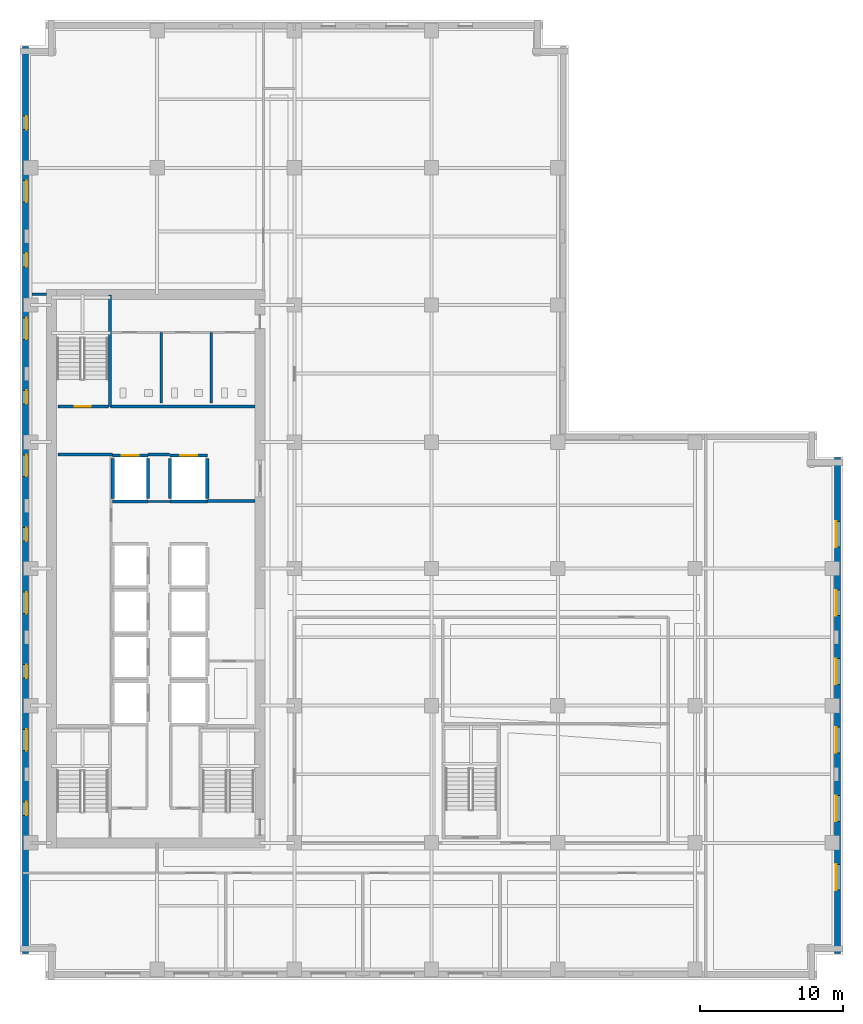
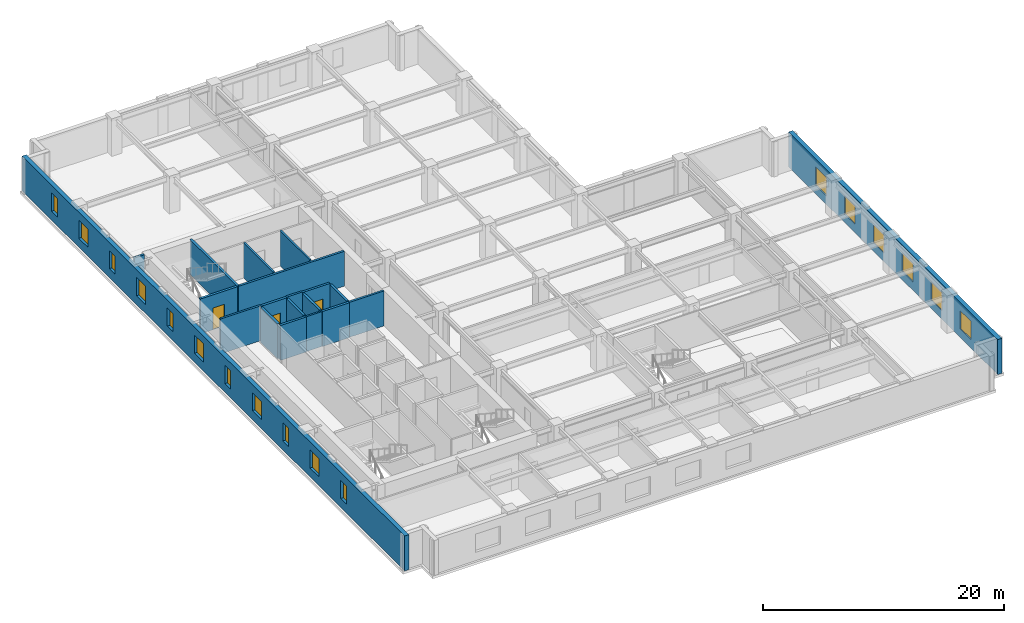
# One storey, part 5 of 11: 20 walls, 17 windows, 3 doors, 20 openings.
"""IFC4 building model written with IfcOpenShell, lengths in metres."""

from ifc_helpers import new_model, si_unit, direction, frame, frame_2d, origin, place, context, subcontext, project, spatial, rectangle, extrude, material, layer, layer_set, type_object, element, fill, save


model = new_model("IFC4")

# Units and contexts
model_context = context("Model", 3, precision=1e-05, world=origin(), true_north=direction((0.0, 1.0)))
body_context = subcontext(model_context, "Body", "Model", "MODEL_VIEW")
ifc_project = project(units=[si_unit("LENGTHUNIT", "METRE"), si_unit("AREAUNIT", "SQUARE_METRE"), si_unit("VOLUMEUNIT", "CUBIC_METRE"), si_unit("PLANEANGLEUNIT", "RADIAN"), si_unit("MASSUNIT", "GRAM", prefix="KILO")], contexts=[model_context])

# Site, building, storey
site_placement = place(None, origin())
site = spatial("IfcSite", under=ifc_project, at=site_placement, CompositionType="ELEMENT")
building_placement = place(site_placement, origin())
building = spatial("IfcBuilding", under=site, at=building_placement, Name="Norrvale University Quadrangle", CompositionType="ELEMENT")
storey_placement = place(building_placement, frame((0.0, 0.0, 120.39990234375)))
storey = spatial("IfcBuildingStorey", under=building, at=storey_placement, Name="L30", CompositionType="ELEMENT", Elevation=120.39990234375)

# Walls
ifc_material_1 = material(Name="Fire-Rated Gypsum Stud Partition")
ifc_layer_1 = layer(ifc_material_1, 0.14990234375, Name="Fire-Rated Gypsum Stud Partition")
ifc_layer_set_1 = layer_set([ifc_layer_1], Name="Fire-Rated Gypsum Stud Partition")
wall_type_1 = type_object("IfcWallType", Name="Wall Gypsum Corridor 150", PredefinedType="PARTITIONING", material=ifc_layer_set_1)
wall_1_placement = place(storey_placement, frame((8.965087890625, 33.489990234375, 0.0), z_axis=(0.0, 0.0, 1.0), x_axis=(1.0, 0.0, 0.0)))
element("IfcWall", 1, at=wall_1_placement, inside=storey, type_object=wall_type_1, Name="Interior Partition WL-L30-LL3", PredefinedType="PARTITIONING", context=body_context, shape_type="SweptSolid", body=[
    extrude(rectangle(XDim=1.52001953125, YDim=0.14990234375, at=frame_2d((0.760009765625, 0.0))), origin(), (0.0, 0.0, 1.0), 3.5400390625),
])
ifc_material_2 = material(Name="Sanitary Chase Gypsum Partition")
ifc_layer_2 = layer(ifc_material_2, 0.1650390625, Name="Sanitary Chase Gypsum Partition")
ifc_layer_set_2 = layer_set([ifc_layer_2], Name="Sanitary Chase Gypsum Partition")
wall_type_2 = type_object("IfcWallType", Name="Wall Gypsum Sanitary 165", PredefinedType="PLUMBINGWALL", material=ifc_layer_set_2)
for number, where, z_axis, x_axis, name in (
    (2, (9.89990234375, 40.39990234375, 0.0), (0.0, 0.0, 1.0), (0.0, 1.0, 0.0), "Interior Partition WL-L30-WCM1"),
    (3, (13.39990234375, 40.39990234375, 0.0), (0.0, 0.0, 1.0), (0.0, 1.0, 0.0), "Interior Partition WL-L30-WCM2"),
):
    element("IfcWall", number, at=place(storey_placement, frame(where, z_axis=z_axis, x_axis=x_axis)), inside=storey, type_object=wall_type_2, Name=name, PredefinedType="PLUMBINGWALL", context=body_context, shape_type="SweptSolid", body=[
        extrude(rectangle(XDim=4.920166015625, YDim=0.1650390625, at=frame_2d((2.4599609375, 0.0))), origin(), (0.0, 0.0, 1.0), 3.5400390625),
    ])
ifc_material_3 = material(Name="Concrete Blockwork 20 MPa Rated Wall", Category="masonry")
ifc_layer_3 = layer(ifc_material_3, 0.199951171875, Name="Concrete Blockwork 20 MPa Rated Wall")
ifc_layer_set_3 = layer_set([ifc_layer_3], Name="Concrete Blockwork 20 MPa Rated Wall")
wall_type_3 = type_object("IfcWallType", Name="Wall Lobby 200", PredefinedType="SOLIDWALL", material=ifc_layer_set_3)
wall_2_placement = place(storey_placement, frame((2.64990234375, 36.780029296875, 0.0), z_axis=(0.0, 0.0, 1.0), x_axis=(1.0, 0.0, 0.0)))
element("IfcWall", 4, at=wall_2_placement, inside=storey, type_object=wall_type_3, Name="Interior Partition WL-L30-FF1", PredefinedType="SOLIDWALL", context=body_context, shape_type="SweptSolid", body=[
    extrude(rectangle(XDim=3.830078125, YDim=0.199951171875, at=frame_2d((1.9150390625, 0.0))), origin(), (0.0, 0.0, 1.0), 3.5400390625),
])
wall_3_placement = place(storey_placement, frame((8.969970703125, 36.780029296875, 0.0), z_axis=(0.0, 0.0, 1.0), x_axis=(1.0, 0.0, 0.0)))
element("IfcWall", 5, at=wall_3_placement, inside=storey, type_object=wall_type_3, Name="Interior Partition WL-L30-FF2", PredefinedType="SOLIDWALL", context=body_context, shape_type="SweptSolid", body=[
    extrude(rectangle(XDim=1.510009765625, YDim=0.199951171875, at=frame_2d((0.7548828125, 0.0))), origin(), (0.0, 0.0, 1.0), 3.5400390625),
])
wall_4_placement = place(storey_placement, frame((13.1201171875, 33.52001953125, 0.0), z_axis=(0.0, 0.0, 1.0), x_axis=(1.0, 0.0, 0.0)))
element("IfcWall", 6, at=wall_4_placement, inside=storey, type_object=wall_type_3, Name="Interior Partition WL-L30-FF3", PredefinedType="SOLIDWALL", context=body_context, shape_type="SweptSolid", body=[
    extrude(rectangle(XDim=3.329833984375, YDim=0.199951171875, at=frame_2d((1.6650390625, 0.0))), origin(), (0.0, 0.0, 1.0), 3.5400390625),
])
wall_5_placement = place(storey_placement, frame((6.320068359375, 40.139892578125, 0.0), z_axis=(0.0, 0.0, 1.0), x_axis=(1.0, 0.0, 0.0)))
element("IfcWall", 7, at=wall_5_placement, inside=storey, type_object=wall_type_3, Name="Interior Partition WL-L30-FF4", PredefinedType="SOLIDWALL", context=body_context, shape_type="SweptSolid", body=[
    extrude(rectangle(XDim=10.1298828125, YDim=0.199951171875, at=frame_2d((5.06494140625, 0.0))), origin(), (0.0, 0.0, 1.0), 3.5400390625),
])
wall_6_placement = place(storey_placement, frame((0.85009765625, 48.0, 0.0), z_axis=(0.0, 0.0, 1.0), x_axis=(1.0, 0.0, 0.0)))
element("IfcWall", 8, at=wall_6_placement, inside=storey, type_object=wall_type_3, Name="Interior Partition WL-L30-CWRET-N", PredefinedType="SOLIDWALL", context=body_context, shape_type="SweptSolid", body=[
    extrude(rectangle(XDim=0.994873046875, YDim=0.199951171875, at=frame_2d((0.49755859375, 0.0))), origin(), (0.0, 0.0, 1.0), 3.5400390625),
])

# Wall, openings, windows
ifc_material_4 = material(Name="Red Manganese Brick Masonry", Category="masonry")
ifc_layer_4 = layer(ifc_material_4, 0.39990234375, Name="Red Manganese Brick Masonry")
ifc_layer_set_4 = layer_set([ifc_layer_4], Name="Red Manganese Brick Masonry")
wall_type_4 = type_object("IfcWallType", Name="Wall Red Brick 400", PredefinedType="SOLIDWALL", material=ifc_layer_set_4)
wall_7_placement = place(storey_placement, frame((57.219970703125, 1.840087890625, 0.0), z_axis=(0.0, 0.0, 1.0), x_axis=(0.0, 1.0, 0.0)))
wall_7 = element("IfcWall", 9, at=wall_7_placement, inside=storey, type_object=wall_type_4, Name="Exterior Brick Facade Wall L30-04.1", PredefinedType="SOLIDWALL", context=body_context, shape_type="SweptSolid", body=[
    extrude(rectangle(XDim=34.719970703125, YDim=0.39990234375, at=frame_2d((17.35986328125, 0.0))), origin(), (0.0, 0.0, 1.0), 3.5400390625),
])
opening_1_placement = place(wall_7_placement, frame((4.4599609375, 0.0, 0.85009765625)))
opening_1 = element("IfcOpeningElement", 10, at=opening_1_placement, cuts=wall_7, Name="Opening W01", PredefinedType="OPENING", context=body_context, shape_type="SweptSolid", body=[
    extrude(rectangle(XDim=1.800048828125, YDim=1.85009765625, at=frame_2d((0.89990234375, 0.925048828125))), frame((0.0, 0.2119140625, 0.0), z_axis=(0.0, -1.0, 0.0), x_axis=(1.0, 0.0, 0.0)), (0.0, 0.0, 1.0), 0.423828125),
])
opening_2_placement = place(wall_7_placement, frame((9.260009765625, 0.0, 0.85009765625)))
opening_2 = element("IfcOpeningElement", 11, at=opening_2_placement, cuts=wall_7, Name="Opening W01", PredefinedType="OPENING", context=body_context, shape_type="SweptSolid", body=[
    extrude(rectangle(XDim=1.800048828125, YDim=1.85009765625, at=frame_2d((0.89990234375, 0.925048828125))), frame((0.0, 0.2119140625, 0.0), z_axis=(0.0, -1.0, 0.0), x_axis=(1.0, 0.0, 0.0)), (0.0, 0.0, 1.0), 0.423828125),
])
opening_3_placement = place(wall_7_placement, frame((14.06005859375, 0.0, 0.85009765625)))
opening_3 = element("IfcOpeningElement", 12, at=opening_3_placement, cuts=wall_7, Name="Opening W01", PredefinedType="OPENING", context=body_context, shape_type="SweptSolid", body=[
    extrude(rectangle(XDim=1.800048828125, YDim=1.85009765625, at=frame_2d((0.89990234375, 0.925048828125))), frame((0.0, 0.2119140625, 0.0), z_axis=(0.0, -1.0, 0.0), x_axis=(1.0, 0.0, 0.0)), (0.0, 0.0, 1.0), 0.423828125),
])
opening_4_placement = place(wall_7_placement, frame((18.860107421875, 0.0, 0.85009765625)))
opening_4 = element("IfcOpeningElement", 13, at=opening_4_placement, cuts=wall_7, Name="Opening W01", PredefinedType="OPENING", context=body_context, shape_type="SweptSolid", body=[
    extrude(rectangle(XDim=1.800048828125, YDim=1.85009765625, at=frame_2d((0.89990234375, 0.925048828125))), frame((0.0, 0.2119140625, 0.0), z_axis=(0.0, -1.0, 0.0), x_axis=(1.0, 0.0, 0.0)), (0.0, 0.0, 1.0), 0.423828125),
])
opening_5_placement = place(wall_7_placement, frame((23.659912109375, 0.0, 0.85009765625)))
opening_5 = element("IfcOpeningElement", 14, at=opening_5_placement, cuts=wall_7, Name="Opening W01", PredefinedType="OPENING", context=body_context, shape_type="SweptSolid", body=[
    extrude(rectangle(XDim=1.800048828125, YDim=1.85009765625, at=frame_2d((0.89990234375, 0.925048828125))), frame((0.0, 0.2119140625, 0.0), z_axis=(0.0, -1.0, 0.0), x_axis=(1.0, 0.0, 0.0)), (0.0, 0.0, 1.0), 0.423828125),
])
opening_6_placement = place(wall_7_placement, frame((28.4599609375, 0.0, 0.85009765625)))
opening_6 = element("IfcOpeningElement", 15, at=opening_6_placement, cuts=wall_7, Name="Opening W01", PredefinedType="OPENING", context=body_context, shape_type="SweptSolid", body=[
    extrude(rectangle(XDim=1.800048828125, YDim=1.85009765625, at=frame_2d((0.89990234375, 0.925048828125))), frame((0.0, 0.2119140625, 0.0), z_axis=(0.0, -1.0, 0.0), x_axis=(1.0, 0.0, 0.0)), (0.0, 0.0, 1.0), 0.423828125),
])
ifc_material_5 = material(Name="Triple Low-E Argon Glazing", Category="glass")
window_type_1 = type_object("IfcWindowType", Name="Window Academic 1800x2300", PartitioningType="DOUBLE_PANEL_VERTICAL", PredefinedType="WINDOW", material=ifc_material_5)
window_1_placement = place(opening_1_placement, origin())
window_1 = element("IfcWindow", 16, at=window_1_placement, inside=storey, type_object=window_type_1, Name="Window Academic 1800x2300 WIN-L30-E04-1-01", OverallHeight=1.85009765625, OverallWidth=1.800048828125, PartitioningType="DOUBLE_PANEL_VERTICAL", PredefinedType="WINDOW", context=body_context, shape_type="SweptSolid", body=[
    extrude(rectangle(XDim=1.800048828125, YDim=1.85009765625, at=frame_2d((0.89990234375, 0.925048828125))), frame((0.0, 0.110107421875, 0.0), z_axis=(0.0, -1.0, 0.0), x_axis=(1.0, 0.0, 0.0)), (0.0, 0.0, 1.0), 0.06005859375),
])
fill(opening_1, window_1)
window_2_placement = place(opening_2_placement, origin())
window_2 = element("IfcWindow", 17, at=window_2_placement, inside=storey, type_object=window_type_1, Name="Window Academic 1800x2300 WIN-L30-E04-1-02", OverallHeight=1.85009765625, OverallWidth=1.800048828125, PartitioningType="DOUBLE_PANEL_VERTICAL", PredefinedType="WINDOW", context=body_context, shape_type="SweptSolid", body=[
    extrude(rectangle(XDim=1.800048828125, YDim=1.85009765625, at=frame_2d((0.89990234375, 0.925048828125))), frame((0.0, 0.110107421875, 0.0), z_axis=(0.0, -1.0, 0.0), x_axis=(1.0, 0.0, 0.0)), (0.0, 0.0, 1.0), 0.06005859375),
])
fill(opening_2, window_2)
window_3_placement = place(opening_3_placement, origin())
window_3 = element("IfcWindow", 18, at=window_3_placement, inside=storey, type_object=window_type_1, Name="Window Academic 1800x2300 WIN-L30-E04-1-03", OverallHeight=1.85009765625, OverallWidth=1.800048828125, PartitioningType="DOUBLE_PANEL_VERTICAL", PredefinedType="WINDOW", context=body_context, shape_type="SweptSolid", body=[
    extrude(rectangle(XDim=1.800048828125, YDim=1.85009765625, at=frame_2d((0.89990234375, 0.925048828125))), frame((0.0, 0.110107421875, 0.0), z_axis=(0.0, -1.0, 0.0), x_axis=(1.0, 0.0, 0.0)), (0.0, 0.0, 1.0), 0.06005859375),
])
fill(opening_3, window_3)
window_4_placement = place(opening_4_placement, origin())
window_4 = element("IfcWindow", 19, at=window_4_placement, inside=storey, type_object=window_type_1, Name="Window Academic 1800x2300 WIN-L30-E04-1-04", OverallHeight=1.85009765625, OverallWidth=1.800048828125, PartitioningType="DOUBLE_PANEL_VERTICAL", PredefinedType="WINDOW", context=body_context, shape_type="SweptSolid", body=[
    extrude(rectangle(XDim=1.800048828125, YDim=1.85009765625, at=frame_2d((0.89990234375, 0.925048828125))), frame((0.0, 0.110107421875, 0.0), z_axis=(0.0, -1.0, 0.0), x_axis=(1.0, 0.0, 0.0)), (0.0, 0.0, 1.0), 0.06005859375),
])
fill(opening_4, window_4)
window_5_placement = place(opening_5_placement, origin())
window_5 = element("IfcWindow", 20, at=window_5_placement, inside=storey, type_object=window_type_1, Name="Window Academic 1800x2300 WIN-L30-E04-1-05", OverallHeight=1.85009765625, OverallWidth=1.800048828125, PartitioningType="DOUBLE_PANEL_VERTICAL", PredefinedType="WINDOW", context=body_context, shape_type="SweptSolid", body=[
    extrude(rectangle(XDim=1.800048828125, YDim=1.85009765625, at=frame_2d((0.89990234375, 0.925048828125))), frame((0.0, 0.110107421875, 0.0), z_axis=(0.0, -1.0, 0.0), x_axis=(1.0, 0.0, 0.0)), (0.0, 0.0, 1.0), 0.06005859375),
])
fill(opening_5, window_5)
window_6_placement = place(opening_6_placement, origin())
window_6 = element("IfcWindow", 21, at=window_6_placement, inside=storey, type_object=window_type_1, Name="Window Academic 1800x2300 WIN-L30-E04-1-06", OverallHeight=1.85009765625, OverallWidth=1.800048828125, PartitioningType="DOUBLE_PANEL_VERTICAL", PredefinedType="WINDOW", context=body_context, shape_type="SweptSolid", body=[
    extrude(rectangle(XDim=1.800048828125, YDim=1.85009765625, at=frame_2d((0.89990234375, 0.925048828125))), frame((0.0, 0.110107421875, 0.0), z_axis=(0.0, -1.0, 0.0), x_axis=(1.0, 0.0, 0.0)), (0.0, 0.0, 1.0), 0.06005859375),
])
fill(opening_6, window_6)

wall_8_placement = place(storey_placement, frame((0.3798828125, 65.360107421875, 0.0), z_axis=(0.0, 0.0, 1.0), x_axis=(0.0, -1.0, 0.0)))
wall_8 = element("IfcWall", 22, at=wall_8_placement, inside=storey, type_object=wall_type_4, Name="Exterior Brick Facade Wall L30-14.1", PredefinedType="SOLIDWALL", context=body_context, shape_type="SweptSolid", body=[
    extrude(rectangle(XDim=63.52001953125, YDim=0.39990234375, at=frame_2d((31.760009765625, 0.0))), origin(), (0.0, 0.0, 1.0), 3.5400390625),
])
opening_7_placement = place(wall_8_placement, frame((4.885009765625, 0.0, 0.89990234375)))
opening_7 = element("IfcOpeningElement", 23, at=opening_7_placement, cuts=wall_8, Name="Opening W04", PredefinedType="OPENING", context=body_context, shape_type="SweptSolid", body=[
    extrude(rectangle(XDim=0.949951171875, YDim=1.85009765625, at=frame_2d((0.47509765625, 0.925048828125))), frame((0.0, 0.2119140625, 0.0), z_axis=(0.0, -1.0, 0.0), x_axis=(1.0, 0.0, 0.0)), (0.0, 0.0, 1.0), 0.423828125),
])
opening_8_placement = place(wall_8_placement, frame((9.409912109375, 0.0, 0.89990234375)))
opening_8 = element("IfcOpeningElement", 24, at=opening_8_placement, cuts=wall_8, Name="Opening W03", PredefinedType="OPENING", context=body_context, shape_type="SweptSolid", body=[
    extrude(rectangle(XDim=1.5, YDim=1.85009765625, at=frame_2d((0.75, 0.925048828125))), frame((0.0, 0.2119140625, 0.0), z_axis=(0.0, -1.0, 0.0), x_axis=(1.0, 0.0, 0.0)), (0.0, 0.0, 1.0), 0.423828125),
])
opening_9_placement = place(wall_8_placement, frame((14.485107421875, 0.0, 0.89990234375)))
opening_9 = element("IfcOpeningElement", 25, at=opening_9_placement, cuts=wall_8, Name="Opening W04", PredefinedType="OPENING", context=body_context, shape_type="SweptSolid", body=[
    extrude(rectangle(XDim=0.949951171875, YDim=1.85009765625, at=frame_2d((0.47509765625, 0.925048828125))), frame((0.0, 0.2119140625, 0.0), z_axis=(0.0, -1.0, 0.0), x_axis=(1.0, 0.0, 0.0)), (0.0, 0.0, 1.0), 0.423828125),
])
opening_10_placement = place(wall_8_placement, frame((19.010009765625, 0.0, 0.89990234375)))
opening_10 = element("IfcOpeningElement", 26, at=opening_10_placement, cuts=wall_8, Name="Opening W03", PredefinedType="OPENING", context=body_context, shape_type="SweptSolid", body=[
    extrude(rectangle(XDim=1.5, YDim=1.85009765625, at=frame_2d((0.75, 0.925048828125))), frame((0.0, 0.2119140625, 0.0), z_axis=(0.0, -1.0, 0.0), x_axis=(1.0, 0.0, 0.0)), (0.0, 0.0, 1.0), 0.423828125),
])
opening_11_placement = place(wall_8_placement, frame((24.0849609375, 0.0, 0.89990234375)))
opening_11 = element("IfcOpeningElement", 27, at=opening_11_placement, cuts=wall_8, Name="Opening W04", PredefinedType="OPENING", context=body_context, shape_type="SweptSolid", body=[
    extrude(rectangle(XDim=0.949951171875, YDim=1.85009765625, at=frame_2d((0.47509765625, 0.925048828125))), frame((0.0, 0.2119140625, 0.0), z_axis=(0.0, -1.0, 0.0), x_axis=(1.0, 0.0, 0.0)), (0.0, 0.0, 1.0), 0.423828125),
])
opening_12_placement = place(wall_8_placement, frame((28.610107421875, 0.0, 0.89990234375)))
opening_12 = element("IfcOpeningElement", 28, at=opening_12_placement, cuts=wall_8, Name="Opening W03", PredefinedType="OPENING", context=body_context, shape_type="SweptSolid", body=[
    extrude(rectangle(XDim=1.5, YDim=1.85009765625, at=frame_2d((0.75, 0.925048828125))), frame((0.0, 0.2119140625, 0.0), z_axis=(0.0, -1.0, 0.0), x_axis=(1.0, 0.0, 0.0)), (0.0, 0.0, 1.0), 0.423828125),
])
opening_13_placement = place(wall_8_placement, frame((33.68505859375, 0.0, 0.89990234375)))
opening_13 = element("IfcOpeningElement", 29, at=opening_13_placement, cuts=wall_8, Name="Opening W04", PredefinedType="OPENING", context=body_context, shape_type="SweptSolid", body=[
    extrude(rectangle(XDim=0.949951171875, YDim=1.85009765625, at=frame_2d((0.47509765625, 0.925048828125))), frame((0.0, 0.2119140625, 0.0), z_axis=(0.0, -1.0, 0.0), x_axis=(1.0, 0.0, 0.0)), (0.0, 0.0, 1.0), 0.423828125),
])
opening_14_placement = place(wall_8_placement, frame((38.2099609375, 0.0, 0.89990234375)))
opening_14 = element("IfcOpeningElement", 30, at=opening_14_placement, cuts=wall_8, Name="Opening W03", PredefinedType="OPENING", context=body_context, shape_type="SweptSolid", body=[
    extrude(rectangle(XDim=1.5, YDim=1.85009765625, at=frame_2d((0.75, 0.925048828125))), frame((0.0, 0.2119140625, 0.0), z_axis=(0.0, -1.0, 0.0), x_axis=(1.0, 0.0, 0.0)), (0.0, 0.0, 1.0), 0.423828125),
])
opening_15_placement = place(wall_8_placement, frame((43.284912109375, 0.0, 0.89990234375)))
opening_15 = element("IfcOpeningElement", 31, at=opening_15_placement, cuts=wall_8, Name="Opening W04", PredefinedType="OPENING", context=body_context, shape_type="SweptSolid", body=[
    extrude(rectangle(XDim=0.949951171875, YDim=1.85009765625, at=frame_2d((0.47509765625, 0.925048828125))), frame((0.0, 0.2119140625, 0.0), z_axis=(0.0, -1.0, 0.0), x_axis=(1.0, 0.0, 0.0)), (0.0, 0.0, 1.0), 0.423828125),
])
opening_16_placement = place(wall_8_placement, frame((47.81005859375, 0.0, 0.89990234375)))
opening_16 = element("IfcOpeningElement", 32, at=opening_16_placement, cuts=wall_8, Name="Opening W03", PredefinedType="OPENING", context=body_context, shape_type="SweptSolid", body=[
    extrude(rectangle(XDim=1.5, YDim=1.85009765625, at=frame_2d((0.75, 0.925048828125))), frame((0.0, 0.2119140625, 0.0), z_axis=(0.0, -1.0, 0.0), x_axis=(1.0, 0.0, 0.0)), (0.0, 0.0, 1.0), 0.423828125),
])
opening_17_placement = place(wall_8_placement, frame((52.885009765625, 0.0, 0.89990234375)))
opening_17 = element("IfcOpeningElement", 33, at=opening_17_placement, cuts=wall_8, Name="Opening W04", PredefinedType="OPENING", context=body_context, shape_type="SweptSolid", body=[
    extrude(rectangle(XDim=0.949951171875, YDim=1.85009765625, at=frame_2d((0.47509765625, 0.925048828125))), frame((0.0, 0.2119140625, 0.0), z_axis=(0.0, -1.0, 0.0), x_axis=(1.0, 0.0, 0.0)), (0.0, 0.0, 1.0), 0.423828125),
])
window_type_2 = type_object("IfcWindowType", Name="Window Narrow Pier 950x2300", PartitioningType="SINGLE_PANEL", PredefinedType="WINDOW", material=ifc_material_5)
window_7_placement = place(opening_7_placement, origin())
window_7 = element("IfcWindow", 34, at=window_7_placement, inside=storey, type_object=window_type_2, Name="Window Narrow Pier 950x2300 WIN-L30-E14-1-01", OverallHeight=1.85009765625, OverallWidth=0.949951171875, PartitioningType="SINGLE_PANEL", PredefinedType="WINDOW", context=body_context, shape_type="SweptSolid", body=[
    extrude(rectangle(XDim=0.949951171875, YDim=1.85009765625, at=frame_2d((0.47509765625, 0.925048828125))), frame((0.0, 0.110107421875, 0.0), z_axis=(0.0, -1.0, 0.0), x_axis=(1.0, 0.0, 0.0)), (0.0, 0.0, 1.0), 0.06005859375),
])
fill(opening_7, window_7)
window_8_placement = place(opening_9_placement, origin())
window_8 = element("IfcWindow", 35, at=window_8_placement, inside=storey, type_object=window_type_2, Name="Window Narrow Pier 950x2300 WIN-L30-E14-1-03", OverallHeight=1.85009765625, OverallWidth=0.949951171875, PartitioningType="SINGLE_PANEL", PredefinedType="WINDOW", context=body_context, shape_type="SweptSolid", body=[
    extrude(rectangle(XDim=0.949951171875, YDim=1.85009765625, at=frame_2d((0.47509765625, 0.925048828125))), frame((0.0, 0.110107421875, 0.0), z_axis=(0.0, -1.0, 0.0), x_axis=(1.0, 0.0, 0.0)), (0.0, 0.0, 1.0), 0.06005859375),
])
fill(opening_9, window_8)
window_9_placement = place(opening_11_placement, origin())
window_9 = element("IfcWindow", 36, at=window_9_placement, inside=storey, type_object=window_type_2, Name="Window Narrow Pier 950x2300 WIN-L30-E14-1-05", OverallHeight=1.85009765625, OverallWidth=0.949951171875, PartitioningType="SINGLE_PANEL", PredefinedType="WINDOW", context=body_context, shape_type="SweptSolid", body=[
    extrude(rectangle(XDim=0.949951171875, YDim=1.85009765625, at=frame_2d((0.47509765625, 0.925048828125))), frame((0.0, 0.110107421875, 0.0), z_axis=(0.0, -1.0, 0.0), x_axis=(1.0, 0.0, 0.0)), (0.0, 0.0, 1.0), 0.06005859375),
])
fill(opening_11, window_9)
window_10_placement = place(opening_13_placement, origin())
window_10 = element("IfcWindow", 37, at=window_10_placement, inside=storey, type_object=window_type_2, Name="Window Narrow Pier 950x2300 WIN-L30-E14-1-07", OverallHeight=1.85009765625, OverallWidth=0.949951171875, PartitioningType="SINGLE_PANEL", PredefinedType="WINDOW", context=body_context, shape_type="SweptSolid", body=[
    extrude(rectangle(XDim=0.949951171875, YDim=1.85009765625, at=frame_2d((0.47509765625, 0.925048828125))), frame((0.0, 0.110107421875, 0.0), z_axis=(0.0, -1.0, 0.0), x_axis=(1.0, 0.0, 0.0)), (0.0, 0.0, 1.0), 0.06005859375),
])
fill(opening_13, window_10)
window_11_placement = place(opening_15_placement, origin())
window_11 = element("IfcWindow", 38, at=window_11_placement, inside=storey, type_object=window_type_2, Name="Window Narrow Pier 950x2300 WIN-L30-E14-1-09", OverallHeight=1.85009765625, OverallWidth=0.949951171875, PartitioningType="SINGLE_PANEL", PredefinedType="WINDOW", context=body_context, shape_type="SweptSolid", body=[
    extrude(rectangle(XDim=0.949951171875, YDim=1.85009765625, at=frame_2d((0.47509765625, 0.925048828125))), frame((0.0, 0.110107421875, 0.0), z_axis=(0.0, -1.0, 0.0), x_axis=(1.0, 0.0, 0.0)), (0.0, 0.0, 1.0), 0.06005859375),
])
fill(opening_15, window_11)
window_12_placement = place(opening_17_placement, origin())
window_12 = element("IfcWindow", 39, at=window_12_placement, inside=storey, type_object=window_type_2, Name="Window Narrow Pier 950x2300 WIN-L30-E14-1-11", OverallHeight=1.85009765625, OverallWidth=0.949951171875, PartitioningType="SINGLE_PANEL", PredefinedType="WINDOW", context=body_context, shape_type="SweptSolid", body=[
    extrude(rectangle(XDim=0.949951171875, YDim=1.85009765625, at=frame_2d((0.47509765625, 0.925048828125))), frame((0.0, 0.110107421875, 0.0), z_axis=(0.0, -1.0, 0.0), x_axis=(1.0, 0.0, 0.0)), (0.0, 0.0, 1.0), 0.06005859375),
])
fill(opening_17, window_12)
window_type_3 = type_object("IfcWindowType", Name="Window Studio 1500x2300", PartitioningType="DOUBLE_PANEL_VERTICAL", PredefinedType="WINDOW", material=ifc_material_5)
window_13_placement = place(opening_8_placement, origin())
window_13 = element("IfcWindow", 40, at=window_13_placement, inside=storey, type_object=window_type_3, Name="Window Studio 1500x2300 WIN-L30-E14-1-02", OverallHeight=1.85009765625, OverallWidth=1.5, PartitioningType="DOUBLE_PANEL_VERTICAL", PredefinedType="WINDOW", context=body_context, shape_type="SweptSolid", body=[
    extrude(rectangle(XDim=1.5, YDim=1.85009765625, at=frame_2d((0.75, 0.925048828125))), frame((0.0, 0.110107421875, 0.0), z_axis=(0.0, -1.0, 0.0), x_axis=(1.0, 0.0, 0.0)), (0.0, 0.0, 1.0), 0.06005859375),
])
fill(opening_8, window_13)
window_14_placement = place(opening_10_placement, origin())
window_14 = element("IfcWindow", 41, at=window_14_placement, inside=storey, type_object=window_type_3, Name="Window Studio 1500x2300 WIN-L30-E14-1-04", OverallHeight=1.85009765625, OverallWidth=1.5, PartitioningType="DOUBLE_PANEL_VERTICAL", PredefinedType="WINDOW", context=body_context, shape_type="SweptSolid", body=[
    extrude(rectangle(XDim=1.5, YDim=1.85009765625, at=frame_2d((0.75, 0.925048828125))), frame((0.0, 0.110107421875, 0.0), z_axis=(0.0, -1.0, 0.0), x_axis=(1.0, 0.0, 0.0)), (0.0, 0.0, 1.0), 0.06005859375),
])
fill(opening_10, window_14)
window_15_placement = place(opening_12_placement, origin())
window_15 = element("IfcWindow", 42, at=window_15_placement, inside=storey, type_object=window_type_3, Name="Window Studio 1500x2300 WIN-L30-E14-1-06", OverallHeight=1.85009765625, OverallWidth=1.5, PartitioningType="DOUBLE_PANEL_VERTICAL", PredefinedType="WINDOW", context=body_context, shape_type="SweptSolid", body=[
    extrude(rectangle(XDim=1.5, YDim=1.85009765625, at=frame_2d((0.75, 0.925048828125))), frame((0.0, 0.110107421875, 0.0), z_axis=(0.0, -1.0, 0.0), x_axis=(1.0, 0.0, 0.0)), (0.0, 0.0, 1.0), 0.06005859375),
])
fill(opening_12, window_15)
window_16_placement = place(opening_14_placement, origin())
window_16 = element("IfcWindow", 43, at=window_16_placement, inside=storey, type_object=window_type_3, Name="Window Studio 1500x2300 WIN-L30-E14-1-08", OverallHeight=1.85009765625, OverallWidth=1.5, PartitioningType="DOUBLE_PANEL_VERTICAL", PredefinedType="WINDOW", context=body_context, shape_type="SweptSolid", body=[
    extrude(rectangle(XDim=1.5, YDim=1.85009765625, at=frame_2d((0.75, 0.925048828125))), frame((0.0, 0.110107421875, 0.0), z_axis=(0.0, -1.0, 0.0), x_axis=(1.0, 0.0, 0.0)), (0.0, 0.0, 1.0), 0.06005859375),
])
fill(opening_14, window_16)
window_17_placement = place(opening_16_placement, origin())
window_17 = element("IfcWindow", 44, at=window_17_placement, inside=storey, type_object=window_type_3, Name="Window Studio 1500x2300 WIN-L30-E14-1-10", OverallHeight=1.85009765625, OverallWidth=1.5, PartitioningType="DOUBLE_PANEL_VERTICAL", PredefinedType="WINDOW", context=body_context, shape_type="SweptSolid", body=[
    extrude(rectangle(XDim=1.5, YDim=1.85009765625, at=frame_2d((0.75, 0.925048828125))), frame((0.0, 0.110107421875, 0.0), z_axis=(0.0, -1.0, 0.0), x_axis=(1.0, 0.0, 0.0)), (0.0, 0.0, 1.0), 0.06005859375),
])
fill(opening_16, window_17)

# Wall, opening, door
ifc_material_6 = material(Name="Concrete Blockwork 20 MPa Fire Shaft", Category="masonry")
ifc_layer_5 = layer(ifc_material_6, 0.219970703125, Name="Concrete Blockwork 20 MPa Fire Shaft")
ifc_layer_set_5 = layer_set([ifc_layer_5], Name="Concrete Blockwork 20 MPa Fire Shaft")
wall_type_5 = type_object("IfcWallType", Name="Wall Shaft 220", PredefinedType="SOLIDWALL", material=ifc_layer_set_5)
wall_9_placement = place(storey_placement, frame((2.64990234375, 40.139892578125, 0.0), z_axis=(0.0, 0.0, 1.0), x_axis=(1.0, 0.0, 0.0)))
wall_9 = element("IfcWall", 45, at=wall_9_placement, inside=storey, type_object=wall_type_5, Name="Stair ST-02 South Shaft Wall L30", PredefinedType="SOLIDWALL", context=body_context, shape_type="SweptSolid", body=[
    extrude(rectangle(XDim=3.550048828125, YDim=0.219970703125, at=frame_2d((1.77490234375, 0.0))), origin(), (0.0, 0.0, 1.0), 3.5400390625),
])
opening_18_placement = place(wall_9_placement, frame((1.199951171875, 0.0, 0.0)))
opening_18 = element("IfcOpeningElement", 46, at=opening_18_placement, cuts=wall_9, Name="Opening D02", PredefinedType="OPENING", context=body_context, shape_type="SweptSolid", body=[
    extrude(rectangle(XDim=1.10009765625, YDim=2.199951171875, at=frame_2d((0.550048828125, 1.10009765625))), frame((0.0, 0.1220703125, 0.0), z_axis=(0.0, -1.0, 0.0), x_axis=(1.0, 0.0, 0.0)), (0.0, 0.0, 1.0), 0.243896484375),
])
ifc_material_7 = material(Name="Hollow Steel 350W Fire Door", Category="steel")
door_type_1 = type_object("IfcDoorType", Name="Door Stair Exit 1100x2200", OperationType="NOTDEFINED", PredefinedType="DOOR", material=ifc_material_7)
door_1_placement = place(opening_18_placement, origin())
door_1 = element("IfcDoor", 47, at=door_1_placement, inside=storey, type_object=door_type_1, Name="Door Stair Exit 1100x2200 DR-L30-ST02", OperationType="SINGLE_SWING_LEFT", OverallHeight=2.199951171875, OverallWidth=1.10009765625, PredefinedType="DOOR", context=body_context, shape_type="SweptSolid", body=[
    extrude(rectangle(XDim=1.10009765625, YDim=2.199951171875, at=frame_2d((0.550048828125, 1.10009765625))), frame((0.0, 0.02490234375, 0.0), z_axis=(0.0, -1.0, 0.0), x_axis=(1.0, 0.0, 0.0)), (0.0, 0.0, 1.0), 0.050048828125),
])
fill(opening_18, door_1)

# Walls
wall_10_placement = place(storey_placement, frame((6.31005859375, 40.139892578125, 0.0), z_axis=(0.0, 0.0, 1.0), x_axis=(0.0, 1.0, 0.0)))
element("IfcWall", 48, at=wall_10_placement, inside=storey, type_object=wall_type_5, Name="Stair ST-02 East Shaft Wall L30", PredefinedType="SOLIDWALL", context=body_context, shape_type="SweptSolid", body=[
    extrude(rectangle(XDim=7.81005859375, YDim=0.219970703125, at=frame_2d((3.905029296875, 0.0))), origin(), (0.0, 0.0, 1.0), 3.5400390625),
])
for number, where, z_axis, x_axis, name in (
    (49, (6.489990234375, 33.7099609375, 0.0), (0.0, 0.0, 1.0), (0.0, 1.0, 0.0), "Hoistway FFL-01 West Wall L30"),
    (50, (8.9599609375, 33.7099609375, 0.0), (0.0, 0.0, 1.0), (0.0, 1.0, 0.0), "Hoistway FFL-01 East Wall L30"),
):
    element("IfcWall", number, at=place(storey_placement, frame(where, z_axis=z_axis, x_axis=x_axis)), inside=storey, type_object=wall_type_5, Name=name, PredefinedType="SOLIDWALL", context=body_context, shape_type="SweptSolid", body=[
        extrude(rectangle(XDim=2.780029296875, YDim=0.219970703125, at=frame_2d((1.39013671875, 0.0))), origin(), (0.0, 0.0, 1.0), 3.5400390625),
    ])
wall_11_placement = place(storey_placement, frame((6.489990234375, 33.489990234375, 0.0), z_axis=(0.0, 0.0, 1.0), x_axis=(1.0, 0.0, 0.0)))
element("IfcWall", 51, at=wall_11_placement, inside=storey, type_object=wall_type_5, Name="Hoistway FFL-01 South Wall L30", PredefinedType="SOLIDWALL", context=body_context, shape_type="SweptSolid", body=[
    extrude(rectangle(XDim=2.469970703125, YDim=0.219970703125, at=frame_2d((1.23486328125, 0.0))), origin(), (0.0, 0.0, 1.0), 3.5400390625),
])

# Wall, opening, door
wall_12_placement = place(storey_placement, frame((6.489990234375, 36.7099609375, 0.0), z_axis=(0.0, 0.0, 1.0), x_axis=(1.0, 0.0, 0.0)))
wall_12 = element("IfcWall", 52, at=wall_12_placement, inside=storey, type_object=wall_type_5, Name="Hoistway FFL-01 North Wall L30", PredefinedType="SOLIDWALL", context=body_context, shape_type="SweptSolid", body=[
    extrude(rectangle(XDim=2.469970703125, YDim=0.219970703125, at=frame_2d((1.23486328125, 0.0))), origin(), (0.0, 0.0, 1.0), 3.5400390625),
])
opening_19_placement = place(wall_12_placement, frame((0.635009765625, 0.0, 0.0)))
opening_19 = element("IfcOpeningElement", 53, at=opening_19_placement, cuts=wall_12, Name="Opening LD2", PredefinedType="OPENING", context=body_context, shape_type="SweptSolid", body=[
    extrude(rectangle(XDim=1.199951171875, YDim=2.199951171875, at=frame_2d((0.60009765625, 1.10009765625))), frame((0.0, 0.1220703125, 0.0), z_axis=(0.0, -1.0, 0.0), x_axis=(1.0, 0.0, 0.0)), (0.0, 0.0, 1.0), 0.243896484375),
])
ifc_material_8 = material(Name="Stainless Steel 316L Firefighter Lift Door", Category="steel")
door_type_2 = type_object("IfcDoorType", Name="Door Fire Lift 1200x2200", OperationType="DOUBLE_DOOR_SLIDING", PredefinedType="DOOR", material=ifc_material_8)
door_2_placement = place(opening_19_placement, origin())
door_2 = element("IfcDoor", 54, at=door_2_placement, inside=storey, type_object=door_type_2, Name="Elevator Landing Door DR-L30-FFL-01", OperationType="DOUBLE_DOOR_SLIDING", OverallHeight=2.199951171875, OverallWidth=1.199951171875, PredefinedType="DOOR", context=body_context, shape_type="SweptSolid", body=[
    extrude(rectangle(XDim=1.199951171875, YDim=2.199951171875, at=frame_2d((0.60009765625, 1.10009765625))), frame((0.0, 0.02490234375, 0.0), z_axis=(0.0, -1.0, 0.0), x_axis=(1.0, 0.0, 0.0)), (0.0, 0.0, 1.0), 0.050048828125),
])
fill(opening_19, door_2)

# Walls
for number, where, z_axis, x_axis, name in (
    (55, (10.489990234375, 33.7099609375, 0.0), (0.0, 0.0, 1.0), (0.0, 1.0, 0.0), "Hoistway FFL-02 West Wall L30"),
    (56, (13.110107421875, 33.7099609375, 0.0), (0.0, 0.0, 1.0), (0.0, 1.0, 0.0), "Hoistway FFL-02 East Wall L30"),
):
    element("IfcWall", number, at=place(storey_placement, frame(where, z_axis=z_axis, x_axis=x_axis)), inside=storey, type_object=wall_type_5, Name=name, PredefinedType="SOLIDWALL", context=body_context, shape_type="SweptSolid", body=[
        extrude(rectangle(XDim=2.780029296875, YDim=0.219970703125, at=frame_2d((1.39013671875, 0.0))), origin(), (0.0, 0.0, 1.0), 3.5400390625),
    ])
wall_13_placement = place(storey_placement, frame((10.489990234375, 33.489990234375, 0.0), z_axis=(0.0, 0.0, 1.0), x_axis=(1.0, 0.0, 0.0)))
element("IfcWall", 57, at=wall_13_placement, inside=storey, type_object=wall_type_5, Name="Hoistway FFL-02 South Wall L30", PredefinedType="SOLIDWALL", context=body_context, shape_type="SweptSolid", body=[
    extrude(rectangle(XDim=2.6201171875, YDim=0.219970703125, at=frame_2d((1.31005859375, 0.0))), origin(), (0.0, 0.0, 1.0), 3.5400390625),
])

# Wall, opening, door
wall_14_placement = place(storey_placement, frame((10.489990234375, 36.7099609375, 0.0), z_axis=(0.0, 0.0, 1.0), x_axis=(1.0, 0.0, 0.0)))
wall_14 = element("IfcWall", 58, at=wall_14_placement, inside=storey, type_object=wall_type_5, Name="Hoistway FFL-02 North Wall L30", PredefinedType="SOLIDWALL", context=body_context, shape_type="SweptSolid", body=[
    extrude(rectangle(XDim=2.6201171875, YDim=0.219970703125, at=frame_2d((1.31005859375, 0.0))), origin(), (0.0, 0.0, 1.0), 3.5400390625),
])
opening_20_placement = place(wall_14_placement, frame((0.7099609375, 0.0, 0.0)))
opening_20 = element("IfcOpeningElement", 59, at=opening_20_placement, cuts=wall_14, Name="Opening LD2", PredefinedType="OPENING", context=body_context, shape_type="SweptSolid", body=[
    extrude(rectangle(XDim=1.199951171875, YDim=2.199951171875, at=frame_2d((0.60009765625, 1.10009765625))), frame((0.0, 0.1220703125, 0.0), z_axis=(0.0, -1.0, 0.0), x_axis=(1.0, 0.0, 0.0)), (0.0, 0.0, 1.0), 0.243896484375),
])
door_3_placement = place(opening_20_placement, origin())
door_3 = element("IfcDoor", 60, at=door_3_placement, inside=storey, type_object=door_type_2, Name="Elevator Landing Door DR-L30-FFL-02", OperationType="DOUBLE_DOOR_SLIDING", OverallHeight=2.199951171875, OverallWidth=1.199951171875, PredefinedType="DOOR", context=body_context, shape_type="SweptSolid", body=[
    extrude(rectangle(XDim=1.199951171875, YDim=2.199951171875, at=frame_2d((0.60009765625, 1.10009765625))), frame((0.0, 0.02490234375, 0.0), z_axis=(0.0, -1.0, 0.0), x_axis=(1.0, 0.0, 0.0)), (0.0, 0.0, 1.0), 0.050048828125),
])
fill(opening_20, door_3)

save(model, "model.ifc")
